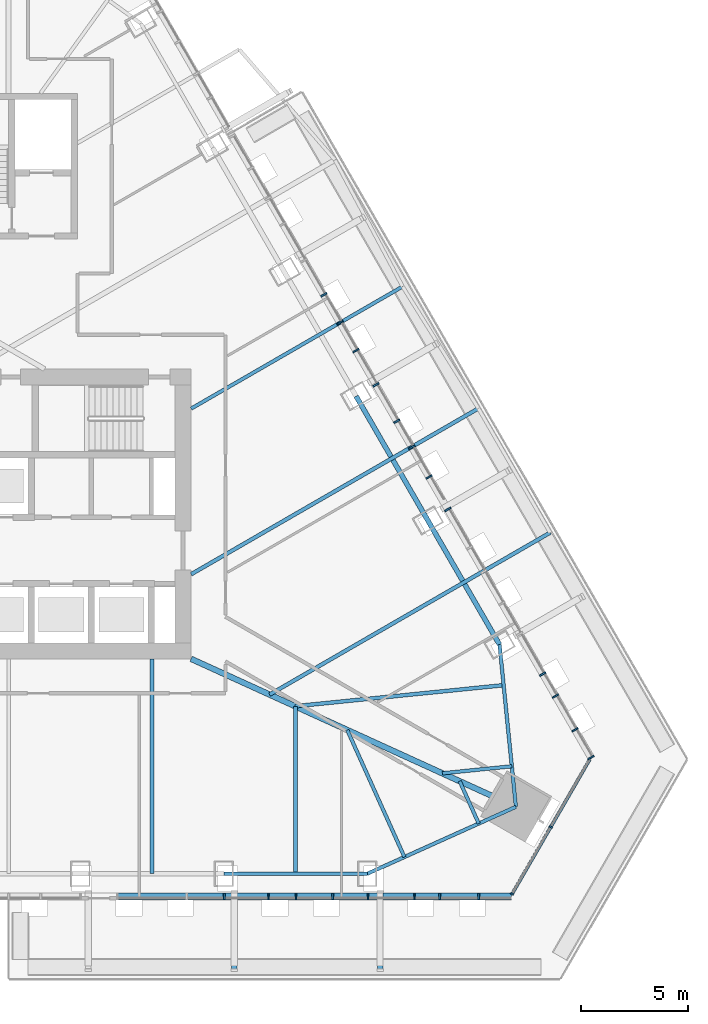
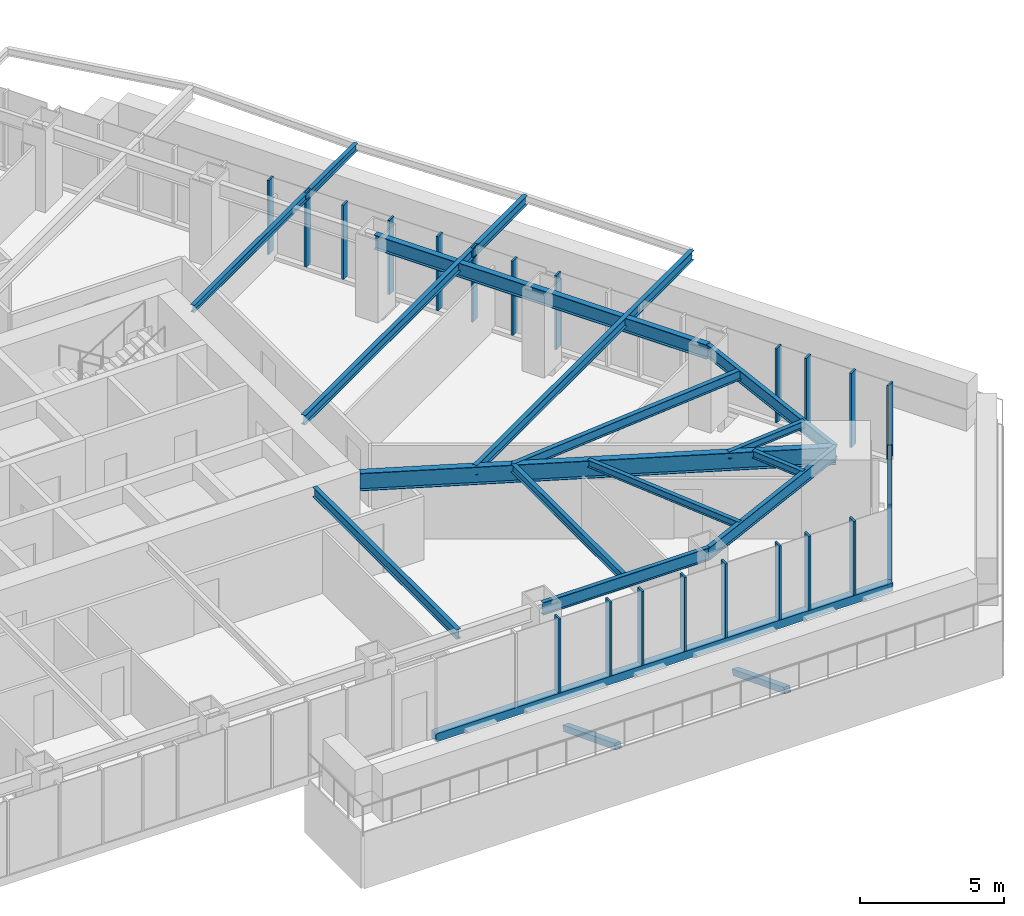
# One storey, part 4 of 17: 26 members, 14 beams, 3 elements without a shape of their own.
"""IFC4 building model written with IfcOpenShell, lengths in metres."""

import ifcopenshell
import ifcopenshell.guid

model = None  # the IFC model being written
_history = None  # IfcOwnerHistory: only IFC2X3 demands one
_inside = {}  # id of a spatial element -> (the spatial element, [elements in it])
_under = {}  # id of a project, library or spatial element -> (it, [spatial elements below it])
_declared = {}  # id of a project -> (the project, [libraries it declares])
_typed = {}  # id of a type object -> (the type object, [elements of that type])
_made_of = {}  # id of a material, layer set ... -> (it, [elements and type objects made of it])


def new_model(schema):
    """Start an empty IFC model of exactly this schema.

    Asked for "IFC4X3", IfcOpenShell would pick the latest addendum, in which some entities
    have other attributes; the version numbers below select the first issue.
    IFC2X3 requires an IfcOwnerHistory on every rooted entity: one is made here for all.
    """
    global model, _history
    if schema == "IFC4X3":
        model = ifcopenshell.file(schema_version=(4, 3, 0, 0))
    else:
        model = ifcopenshell.file(schema=schema)
    _inside.clear()
    _under.clear()
    _declared.clear()
    _typed.clear()
    _made_of.clear()
    _history = None
    if model.schema == "IFC2X3":
        org = make("IfcOrganization", Name="unknown")
        user = make(
            "IfcPersonAndOrganization",
            ThePerson=make("IfcPerson", FamilyName="unknown"),
            TheOrganization=org,
        )
        app = make(
            "IfcApplication",
            ApplicationDeveloper=org,
            Version="unknown",
            ApplicationFullName="unknown",
            ApplicationIdentifier="unknown",
        )
        _history = make(
            "IfcOwnerHistory",
            OwningUser=user,
            OwningApplication=app,
            ChangeAction="ADDED",
            CreationDate=0,
        )
    return model


def make(cls, **values):
    """One entity of the class cls with the attributes given. An attribute that is None is left unset."""
    return model.create_entity(
        cls, **{name: value for name, value in values.items() if value is not None}
    )


def rooted(cls, **values):
    """An entity with a GlobalId (a new one), such as an element, a storey or a relation."""
    return make(cls, GlobalId=ifcopenshell.guid.new(), OwnerHistory=_history, **values)


def si_unit(unit_type, name, prefix=None):
    """IfcSIUnit, for example si_unit("LENGTHUNIT", "METRE", prefix="MILLI")."""
    return make("IfcSIUnit", UnitType=unit_type, Prefix=prefix, Name=name)


def assignment(units):
    """IfcUnitAssignment: the units of a project."""
    return None if units is None else make("IfcUnitAssignment", Units=units)


def point(xyz):
    """IfcCartesianPoint."""
    return None if xyz is None else make("IfcCartesianPoint", Coordinates=xyz)


def direction(xyz):
    """IfcDirection."""
    return None if xyz is None else make("IfcDirection", DirectionRatios=xyz)


def frame(location, z_axis=None, x_axis=None):
    """IfcAxis2Placement3D, a coordinate frame: its origin and axes. An axis left out is left unset."""
    return make(
        "IfcAxis2Placement3D",
        Location=point(location),
        Axis=direction(z_axis),
        RefDirection=direction(x_axis),
    )


def frame_2d(location, x_axis=None):
    """IfcAxis2Placement2D, a coordinate frame in the plane: its origin and x axis."""
    return make(
        "IfcAxis2Placement2D", Location=point(location), RefDirection=direction(x_axis)
    )


def origin():
    """The frame at (0, 0, 0) with its axes left unset."""
    return frame((0.0, 0.0, 0.0))


def origin_2d():
    """The frame at (0, 0) in the plane with its x axis left unset."""
    return frame_2d((0.0, 0.0))


def place(relative_to, where):
    """IfcLocalPlacement: puts the frame where relative to a parent placement (None: the world)."""
    return make(
        "IfcLocalPlacement", PlacementRelTo=relative_to, RelativePlacement=where
    )


def context(
    kind, dimensions, precision=None, world=None, true_north=None, identifier=None
):
    """IfcGeometricRepresentationContext, for example the 3D "Model" context."""
    return make(
        "IfcGeometricRepresentationContext",
        ContextIdentifier=identifier,
        ContextType=kind,
        CoordinateSpaceDimension=dimensions,
        Precision=precision,
        WorldCoordinateSystem=world,
        TrueNorth=true_north,
    )


def subcontext(parent, identifier, kind, view, scale=None):
    """IfcGeometricRepresentationSubContext, for example "Body" below "Model"."""
    return make(
        "IfcGeometricRepresentationSubContext",
        ContextIdentifier=identifier,
        ContextType=kind,
        ParentContext=parent,
        TargetScale=scale,
        TargetView=view,
    )


def project(units=None, contexts=None):
    """IfcProject with its units and contexts."""
    return rooted(
        "IfcProject",
        Name="project",
        RepresentationContexts=contexts,
        UnitsInContext=assignment(units),
    )


def spatial(cls, under=None, at=None, **own):
    """A site, building, storey or space (cls), placed at a placement, below another one or the project."""
    s = rooted(cls, ObjectPlacement=at, **own)
    if under is not None:
        _under.setdefault(under.id(), (under, []))[1].append(s)
    return s


def profile(cls, at=None, kind="AREA", **sizes):
    """A parametric profile (cls). Its sizes go by their IFC names, for example OverallWidth=200.0."""
    return make(cls, ProfileType=kind, Position=at, **sizes)


def rectangle(**sizes):
    """IfcRectangleProfileDef."""
    return profile("IfcRectangleProfileDef", **sizes)


def hollow_rectangle(**sizes):
    """IfcRectangleHollowProfileDef."""
    return profile("IfcRectangleHollowProfileDef", **sizes)


def i_section(**sizes):
    """IfcIShapeProfileDef."""
    return profile("IfcIShapeProfileDef", **sizes)


def extrude(swept, where, along, depth):
    """IfcExtrudedAreaSolid: the profile swept, set in the frame where, extruded along a direction by depth."""
    return make(
        "IfcExtrudedAreaSolid",
        SweptArea=swept,
        Position=where,
        ExtrudedDirection=direction(along),
        Depth=depth,
    )


def shape(context_of_items, identifier, shape_type, items):
    """IfcShapeRepresentation: the items that make up one representation, for example the "Body"."""
    return make(
        "IfcShapeRepresentation",
        ContextOfItems=context_of_items,
        RepresentationIdentifier=identifier,
        RepresentationType=shape_type,
        Items=items,
    )


def material(Name=None, Category=None):
    """IfcMaterial."""
    return make("IfcMaterial", Name=Name, Category=Category)


def layer(
    of_material, thickness, ventilated=None, Name=None, Category=None, Priority=None
):
    """IfcMaterialLayer: one layer of a wall or slab, of a material (None: an air gap)."""
    return make(
        "IfcMaterialLayer",
        Material=of_material,
        LayerThickness=thickness,
        IsVentilated=ventilated,
        Name=Name,
        Category=Category,
        Priority=Priority,
    )


def layer_set(layers, Name=None):
    """IfcMaterialLayerSet."""
    return make("IfcMaterialLayerSet", MaterialLayers=layers, LayerSetName=Name)


def material_profile(
    of_material, cross_section, Name=None, Category=None, Priority=None
):
    """IfcMaterialProfile: a cross section and its material."""
    return make(
        "IfcMaterialProfile",
        Name=Name,
        Material=of_material,
        Profile=cross_section,
        Priority=Priority,
        Category=Category,
    )


def profile_set(profiles, Name=None, composite=None):
    """IfcMaterialProfileSet."""
    return make(
        "IfcMaterialProfileSet",
        Name=Name,
        MaterialProfiles=profiles,
        CompositeProfile=composite,
    )


def made_of(thing, what):
    """Note that an element or type object is made of a material, layer set ...; save() writes the relation."""
    if what is not None:
        _made_of.setdefault(what.id(), (what, []))[1].append(thing)
    return thing


def type_object(cls, material=None, **own):
    """A type object (cls), such as IfcWallType, which elements share."""
    return made_of(rooted(cls, **own), material)


def element(
    cls,
    number,
    at=None,
    inside=None,
    cuts=None,
    type_object=None,
    material=None,
    context=None,
    identifier="Body",
    shape_type=None,
    held_by="IfcProductDefinitionShape",
    body=None,
    shapes=None,
    **own,
):
    """One element of the class cls, such as IfcWall. Its Tag is "e" and its number.

    at: its placement. inside: the storey or other place that contains it. cuts: it is an
    opening in that element (IfcRelVoidsElement). A single representation is given by context,
    identifier, shape_type and body (its items); several are given by shapes. held_by: the class
    of the entity that holds the representations. save() writes the other relations.
    """
    e = rooted(cls, Tag="e%d" % number, ObjectPlacement=at, **own)
    if body is not None:
        shapes = [shape(context, identifier, shape_type, body)]
    if shapes is not None:
        e.Representation = make(held_by, Representations=shapes)
    if inside is not None:
        _inside.setdefault(inside.id(), (inside, []))[1].append(e)
    if cuts is not None:
        rooted(
            "IfcRelVoidsElement", RelatingBuildingElement=cuts, RelatedOpeningElement=e
        )
    if type_object is not None:
        _typed.setdefault(type_object.id(), (type_object, []))[1].append(e)
    return made_of(e, material)


def aggregate(whole, parts):
    """IfcRelAggregates: a whole, such as a stair, and the parts it consists of."""
    return rooted("IfcRelAggregates", RelatingObject=whole, RelatedObjects=parts)


def save(model, path):
    """Write the relations noted so far, then the file.

    IfcRelAggregates (storeys below a building ...), IfcRelContainedInSpatialStructure (elements
    in a storey), IfcRelDefinesByType, IfcRelAssociatesMaterial and IfcRelDeclares: one each for
    every whole, place, type object, material and project.
    """
    for whole, parts in _under.values():
        aggregate(whole, parts)
    for where, things in _inside.values():
        rooted(
            "IfcRelContainedInSpatialStructure",
            RelatedElements=things,
            RelatingStructure=where,
        )
    for kind, things in _typed.values():
        rooted("IfcRelDefinesByType", RelatedObjects=things, RelatingType=kind)
    for what, things in _made_of.values():
        rooted("IfcRelAssociatesMaterial", RelatedObjects=things, RelatingMaterial=what)
    for by, libraries in _declared.values():
        rooted("IfcRelDeclares", RelatingContext=by, RelatedDefinitions=libraries)
    model.write(path)


model = new_model("IFC4")

# Units and contexts
model_context = context("Model", 3, precision=1e-05, world=origin(), true_north=direction((0.0, 1.0)))
body_context = subcontext(model_context, "Body", "Model", "MODEL_VIEW")
ifc_project = project(units=[si_unit("LENGTHUNIT", "METRE"), si_unit("AREAUNIT", "SQUARE_METRE"), si_unit("VOLUMEUNIT", "CUBIC_METRE"), si_unit("PLANEANGLEUNIT", "RADIAN"), si_unit("MASSUNIT", "GRAM", prefix="KILO")], contexts=[model_context])

# Site, building, storey
site_placement = place(None, origin())
site = spatial("IfcSite", under=ifc_project, at=site_placement, CompositionType="ELEMENT")
building_placement = place(site_placement, origin())
building = spatial("IfcBuilding", under=site, at=building_placement, Name="Firuza Gate Tower and Library", CompositionType="ELEMENT")
storey_placement = place(building_placement, frame((0.0, 0.0, 263.60009765625)))
storey = spatial("IfcBuildingStorey", under=building, at=storey_placement, Name="L62", CompositionType="ELEMENT", Elevation=263.60009765625)

# Curtain wall, members
ifc_material_1 = material(Name="Aluminium 6063-T6", Category="aluminium")
ifc_layer_1 = layer(ifc_material_1, 0.14990234375)
ifc_layer_set_1 = layer_set([ifc_layer_1], Name="Corner curtain wall, chamfers")
curtain_wall_type_1 = type_object("IfcCurtainWallType", Name="Corner curtain wall, chamfers", PredefinedType="NOTDEFINED", material=ifc_layer_set_1)
placement = place(storey_placement, origin())
curtain_wall_1 = element("IfcCurtainWall", 1, at=placement, inside=storey, type_object=curtain_wall_type_1, Name="CW4 L62 SE corner", PredefinedType="NOTDEFINED")
ifc_material_2 = material(Name="Aluminium 6063-T6", Category="aluminium")
ifc_material_profile_1 = material_profile(ifc_material_2, rectangle(XDim=0.14990234375, YDim=0.080078125, at=origin_2d()))
ifc_profile_set_1 = profile_set([ifc_material_profile_1], Name="Aluminium 6063-T6")
member_type_1 = type_object("IfcMemberType", Name="Curtain wall mullion 80x150", PredefinedType="MULLION", material=ifc_profile_set_1)
member_1_placement = place(storey_placement, frame((98.45263671875, 57.298828125, 0.14990234375), z_axis=(0.0, 0.0, 1.0), x_axis=(-0.866025403784, 0.5, 0.0)))
member_1 = element("IfcMember", 2, at=member_1_placement, type_object=member_type_1, Name="Mullion", PredefinedType="MULLION", context=body_context, shape_type="SweptSolid", body=[
    extrude(rectangle(XDim=0.14990234375, YDim=0.080078125, at=origin_2d()), origin(), (0.0, 0.0, 1.0), 3.14990234375),
])
member_2_placement = place(storey_placement, frame((100.25439453125, 60.41943359375, 0.14990234375), z_axis=(0.0, 0.0, 1.0), x_axis=(-0.866025403784, 0.5, 0.0)))
member_2 = element("IfcMember", 3, at=member_2_placement, type_object=member_type_1, Name="Mullion", PredefinedType="MULLION", context=body_context, shape_type="SweptSolid", body=[
    extrude(rectangle(XDim=0.14990234375, YDim=0.080078125, at=origin_2d()), origin(), (0.0, 0.0, 1.0), 3.14990234375),
])

ifc_material_3 = material(Name="Aluminium 6063-T6", Category="aluminium")
ifc_layer_2 = layer(ifc_material_3, 0.14990234375)
ifc_layer_set_2 = layer_set([ifc_layer_2], Name="Unitised curtain wall, residences")
curtain_wall_type_2 = type_object("IfcCurtainWallType", Name="Unitised curtain wall, residences", PredefinedType="NOTDEFINED", material=ifc_layer_set_2)
curtain_wall_2 = element("IfcCurtainWall", 4, at=placement, inside=storey, type_object=curtain_wall_type_2, Name="CW3 L62 S face", PredefinedType="NOTDEFINED")
ifc_material_4 = material(Name="Aluminium 6063-T6", Category="aluminium")
ifc_material_profile_2 = material_profile(ifc_material_4, rectangle(XDim=0.320068359375, YDim=0.080078125, at=origin_2d()))
ifc_profile_set_2 = profile_set([ifc_material_profile_2], Name="Aluminium 6063-T6")
member_type_2 = type_object("IfcMemberType", Name="Curtain wall mullion 80x320", PredefinedType="MULLION", material=ifc_profile_set_2)
member_3_placement = place(storey_placement, frame((85.04248046875, 57.17919921875, 0.14990234375), z_axis=(0.0, 0.0, 1.0), x_axis=(0.0, 1.0, 0.0)))
member_3 = element("IfcMember", 5, at=member_3_placement, type_object=member_type_2, Name="Mullion", PredefinedType="MULLION", context=body_context, shape_type="SweptSolid", body=[
    extrude(rectangle(XDim=0.320068359375, YDim=0.080078125, at=origin_2d()), origin(), (0.0, 0.0, 1.0), 3.14990234375),
])
member_4_placement = place(storey_placement, frame((88.39013671875, 57.17919921875, 0.14990234375), z_axis=(0.0, 0.0, 1.0), x_axis=(0.0, 1.0, 0.0)))
member_4 = element("IfcMember", 6, at=member_4_placement, type_object=member_type_2, Name="Mullion", PredefinedType="MULLION", context=body_context, shape_type="SweptSolid", body=[
    extrude(rectangle(XDim=0.320068359375, YDim=0.080078125, at=origin_2d()), origin(), (0.0, 0.0, 1.0), 3.14990234375),
])
member_5_placement = place(storey_placement, frame((91.737548828125, 57.17919921875, 0.14990234375), z_axis=(0.0, 0.0, 1.0), x_axis=(0.0, 1.0, 0.0)))
member_5 = element("IfcMember", 7, at=member_5_placement, type_object=member_type_2, Name="Mullion", PredefinedType="MULLION", context=body_context, shape_type="SweptSolid", body=[
    extrude(rectangle(XDim=0.320068359375, YDim=0.080078125, at=origin_2d()), origin(), (0.0, 0.0, 1.0), 3.14990234375),
])
member_6_placement = place(storey_placement, frame((95.085205078125, 57.17919921875, 0.14990234375), z_axis=(0.0, 0.0, 1.0), x_axis=(0.0, 1.0, 0.0)))
member_6 = element("IfcMember", 8, at=member_6_placement, type_object=member_type_2, Name="Mullion", PredefinedType="MULLION", context=body_context, shape_type="SweptSolid", body=[
    extrude(rectangle(XDim=0.320068359375, YDim=0.080078125, at=origin_2d()), origin(), (0.0, 0.0, 1.0), 3.14990234375),
])
member_7_placement = place(storey_placement, frame((87.101806640625, 57.17919921875, 0.14990234375), z_axis=(0.0, 0.0, 1.0), x_axis=(0.0, 1.0, 0.0)))
member_7 = element("IfcMember", 9, at=member_7_placement, type_object=member_type_2, Name="Mullion", PredefinedType="MULLION", context=body_context, shape_type="SweptSolid", body=[
    extrude(rectangle(XDim=0.320068359375, YDim=0.080078125, at=origin_2d()), origin(), (0.0, 0.0, 1.0), 3.14990234375),
])
member_8_placement = place(storey_placement, frame((90.09814453125, 57.17919921875, 0.14990234375), z_axis=(0.0, 0.0, 1.0), x_axis=(0.0, 1.0, 0.0)))
member_8 = element("IfcMember", 10, at=member_8_placement, type_object=member_type_2, Name="Mullion", PredefinedType="MULLION", context=body_context, shape_type="SweptSolid", body=[
    extrude(rectangle(XDim=0.320068359375, YDim=0.080078125, at=origin_2d()), origin(), (0.0, 0.0, 1.0), 3.14990234375),
])
member_9_placement = place(storey_placement, frame((93.90185546875, 57.17919921875, 0.14990234375), z_axis=(0.0, 0.0, 1.0), x_axis=(0.0, 1.0, 0.0)))
member_9 = element("IfcMember", 11, at=member_9_placement, type_object=member_type_2, Name="Mullion", PredefinedType="MULLION", context=body_context, shape_type="SweptSolid", body=[
    extrude(rectangle(XDim=0.320068359375, YDim=0.080078125, at=origin_2d()), origin(), (0.0, 0.0, 1.0), 3.14990234375),
])
member_10_placement = place(storey_placement, frame((96.898193359375, 57.17919921875, 0.14990234375), z_axis=(0.0, 0.0, 1.0), x_axis=(0.0, 1.0, 0.0)))
member_10 = element("IfcMember", 12, at=member_10_placement, type_object=member_type_2, Name="Mullion", PredefinedType="MULLION", context=body_context, shape_type="SweptSolid", body=[
    extrude(rectangle(XDim=0.320068359375, YDim=0.080078125, at=origin_2d()), origin(), (0.0, 0.0, 1.0), 3.14990234375),
])

curtain_wall_3 = element("IfcCurtainWall", 13, at=placement, inside=storey, type_object=curtain_wall_type_2, Name="CW3 L62 E face", PredefinedType="NOTDEFINED")
member_11_placement = place(storey_placement, frame((102.129638671875, 63.65185546875, 0.14990234375), z_axis=(0.0, 0.0, 1.0), x_axis=(-0.866025403784, -0.5, 0.0)))
member_11 = element("IfcMember", 14, at=member_11_placement, type_object=member_type_2, Name="Mullion", PredefinedType="MULLION", context=body_context, shape_type="SweptSolid", body=[
    extrude(rectangle(XDim=0.320068359375, YDim=0.080078125, at=origin_2d()), origin(), (0.0, 0.0, 1.0), 3.14990234375),
])
member_12_placement = place(storey_placement, frame((100.475830078125, 66.51611328125, 0.14990234375), z_axis=(0.0, 0.0, 1.0), x_axis=(-0.866025403784, -0.5, 0.0)))
member_12 = element("IfcMember", 15, at=member_12_placement, type_object=member_type_2, Name="Mullion", PredefinedType="MULLION", context=body_context, shape_type="SweptSolid", body=[
    extrude(rectangle(XDim=0.320068359375, YDim=0.080078125, at=origin_2d()), origin(), (0.0, 0.0, 1.0), 3.14990234375),
])
member_13_placement = place(storey_placement, frame((95.45458984375, 75.21337890625, 0.14990234375), z_axis=(0.0, 0.0, 1.0), x_axis=(-0.866025403784, -0.5, 0.0)))
member_13 = element("IfcMember", 16, at=member_13_placement, type_object=member_type_2, Name="Mullion", PredefinedType="MULLION", context=body_context, shape_type="SweptSolid", body=[
    extrude(rectangle(XDim=0.320068359375, YDim=0.080078125, at=origin_2d()), origin(), (0.0, 0.0, 1.0), 3.14990234375),
])
member_14_placement = place(storey_placement, frame((93.78076171875, 78.1123046875, 0.14990234375), z_axis=(0.0, 0.0, 1.0), x_axis=(-0.866025403784, -0.5, 0.0)))
member_14 = element("IfcMember", 17, at=member_14_placement, type_object=member_type_2, Name="Mullion", PredefinedType="MULLION", context=body_context, shape_type="SweptSolid", body=[
    extrude(rectangle(XDim=0.320068359375, YDim=0.080078125, at=origin_2d()), origin(), (0.0, 0.0, 1.0), 3.14990234375),
])
member_15_placement = place(storey_placement, frame((92.10693359375, 81.01123046875, 0.14990234375), z_axis=(0.0, 0.0, 1.0), x_axis=(-0.866025403784, -0.5, 0.0)))
member_15 = element("IfcMember", 18, at=member_15_placement, type_object=member_type_2, Name="Mullion", PredefinedType="MULLION", context=body_context, shape_type="SweptSolid", body=[
    extrude(rectangle(XDim=0.320068359375, YDim=0.080078125, at=origin_2d()), origin(), (0.0, 0.0, 1.0), 3.14990234375),
])
member_16_placement = place(storey_placement, frame((90.433349609375, 83.910400390625, 0.14990234375), z_axis=(0.0, 0.0, 1.0), x_axis=(-0.866025403784, -0.5, 0.0)))
member_16 = element("IfcMember", 19, at=member_16_placement, type_object=member_type_2, Name="Mullion", PredefinedType="MULLION", context=body_context, shape_type="SweptSolid", body=[
    extrude(rectangle(XDim=0.320068359375, YDim=0.080078125, at=origin_2d()), origin(), (0.0, 0.0, 1.0), 3.14990234375),
])
member_17_placement = place(storey_placement, frame((101.38232421875, 64.946044921875, 0.14990234375), z_axis=(0.0, 0.0, 1.0), x_axis=(-0.866025403784, -0.5, 0.0)))
member_17 = element("IfcMember", 20, at=member_17_placement, type_object=member_type_2, Name="Mullion", PredefinedType="MULLION", context=body_context, shape_type="SweptSolid", body=[
    extrude(rectangle(XDim=0.320068359375, YDim=0.080078125, at=origin_2d()), origin(), (0.0, 0.0, 1.0), 3.14990234375),
])
member_18_placement = place(storey_placement, frame((99.884033203125, 67.541015625, 0.14990234375), z_axis=(0.0, 0.0, 1.0), x_axis=(-0.866025403784, -0.5, 0.0)))
member_18 = element("IfcMember", 21, at=member_18_placement, type_object=member_type_2, Name="Mullion", PredefinedType="MULLION", context=body_context, shape_type="SweptSolid", body=[
    extrude(rectangle(XDim=0.320068359375, YDim=0.080078125, at=origin_2d()), origin(), (0.0, 0.0, 1.0), 3.14990234375),
])
member_19_placement = place(storey_placement, frame((94.582275390625, 76.723876953125, 0.14990234375), z_axis=(0.0, 0.0, 1.0), x_axis=(-0.866025403784, -0.5, 0.0)))
member_19 = element("IfcMember", 22, at=member_19_placement, type_object=member_type_2, Name="Mullion", PredefinedType="MULLION", context=body_context, shape_type="SweptSolid", body=[
    extrude(rectangle(XDim=0.320068359375, YDim=0.080078125, at=origin_2d()), origin(), (0.0, 0.0, 1.0), 3.14990234375),
])
member_20_placement = place(storey_placement, frame((93.084228515625, 79.31884765625, 0.14990234375), z_axis=(0.0, 0.0, 1.0), x_axis=(-0.866025403784, -0.5, 0.0)))
member_20 = element("IfcMember", 23, at=member_20_placement, type_object=member_type_2, Name="Mullion", PredefinedType="MULLION", context=body_context, shape_type="SweptSolid", body=[
    extrude(rectangle(XDim=0.320068359375, YDim=0.080078125, at=origin_2d()), origin(), (0.0, 0.0, 1.0), 3.14990234375),
])
member_21_placement = place(storey_placement, frame((91.182373046875, 82.613037109375, 0.14990234375), z_axis=(0.0, 0.0, 1.0), x_axis=(-0.866025403784, -0.5, 0.0)))
member_21 = element("IfcMember", 24, at=member_21_placement, type_object=member_type_2, Name="Mullion", PredefinedType="MULLION", context=body_context, shape_type="SweptSolid", body=[
    extrude(rectangle(XDim=0.320068359375, YDim=0.080078125, at=origin_2d()), origin(), (0.0, 0.0, 1.0), 3.14990234375),
])
member_22_placement = place(storey_placement, frame((89.68408203125, 85.207763671875, 0.14990234375), z_axis=(0.0, 0.0, 1.0), x_axis=(-0.866025403784, -0.5, 0.0)))
member_22 = element("IfcMember", 25, at=member_22_placement, type_object=member_type_2, Name="Mullion", PredefinedType="MULLION", context=body_context, shape_type="SweptSolid", body=[
    extrude(rectangle(XDim=0.320068359375, YDim=0.080078125, at=origin_2d()), origin(), (0.0, 0.0, 1.0), 3.14990234375),
])
aggregate(curtain_wall_3, [member_11, member_12, member_13, member_14, member_15, member_16, member_17, member_18, member_19, member_20, member_21, member_22])

# Member
ifc_material_5 = material(Name="Aluminium 6063-T6", Category="aluminium")
ifc_material_profile_3 = material_profile(ifc_material_5, rectangle(XDim=0.14990234375, YDim=0.35009765625, at=origin_2d()))
ifc_profile_set_3 = profile_set([ifc_material_profile_3], Name="Aluminium 6063-T6")
member_type_3 = type_object("IfcMemberType", Name="Curtain wall transom 350x150", PredefinedType="USERDEFINED", material=ifc_profile_set_3)
member_23_placement = place(storey_placement, frame((98.4326171875, 57.26416015625, -0.025146484375), z_axis=(0.499991211061, 0.866030478021, 0.0), x_axis=(-0.866030478021, 0.499991211061, 0.0)))
member_23 = element("IfcMember", 26, at=member_23_placement, type_object=member_type_3, Name="Transom", ObjectType="TRANSOM", PredefinedType="USERDEFINED", context=body_context, shape_type="SweptSolid", body=[
    extrude(rectangle(XDim=0.14990234375, YDim=0.35009765625, at=origin_2d()), origin(), (0.0, 0.0, 1.0), 7.286865234375),
])

aggregate(curtain_wall_1, [member_1, member_2, member_23])

ifc_material_6 = material(Name="Aluminium 6063-T6", Category="aluminium")
ifc_material_profile_4 = material_profile(ifc_material_6, rectangle(XDim=0.320068359375, YDim=0.35009765625, at=origin_2d()))
ifc_profile_set_4 = profile_set([ifc_material_profile_4], Name="Aluminium 6063-T6")
member_type_4 = type_object("IfcMemberType", Name="Curtain wall transom 350x320", PredefinedType="USERDEFINED", material=ifc_profile_set_4)
member_24_placement = place(storey_placement, frame((80.067626953125, 57.17919921875, -0.025146484375), z_axis=(1.0, 0.0, 0.0), x_axis=(0.0, 1.0, 0.0)))
member_24 = element("IfcMember", 27, at=member_24_placement, type_object=member_type_4, Name="Transom", ObjectType="TRANSOM", PredefinedType="USERDEFINED", context=body_context, shape_type="SweptSolid", body=[
    extrude(rectangle(XDim=0.320068359375, YDim=0.35009765625, at=origin_2d()), origin(), (0.0, 0.0, 1.0), 18.364990234375),
])

aggregate(curtain_wall_2, [member_3, member_4, member_5, member_6, member_24, member_7, member_8, member_9, member_10])

# Members
ifc_material_7 = material(Name="Steel S355", Category="steel")
ifc_material_profile_5 = material_profile(ifc_material_7, hollow_rectangle(XDim=0.25390625, YDim=0.25390625, WallThickness=0.01171875, at=origin_2d()))
ifc_profile_set_5 = profile_set([ifc_material_profile_5], Name="Steel S355")
member_type_5 = type_object("IfcMemberType", Name="HSS254x254x13 Tray strut", PredefinedType="BRACE", material=ifc_profile_set_5)
for number, where, z_axis, x_axis, name in (
    (28, (85.5, 57.3671875, -1.670166015625), (0.0, -0.931995182262, 0.362470661215), (1.0, 0.0, 0.0), "Tray strut L62 col:L61:S5"),
    (29, (92.300048828125, 57.3671875, -1.670166015625), (0.0, -0.931995182262, 0.362470661215), (1.0, 0.0, 0.0), "Tray strut L62 col:L61:S6"),
):
    element("IfcMember", number, at=place(storey_placement, frame(where, z_axis=z_axis, x_axis=x_axis)), inside=storey, type_object=member_type_5, Name=name, PredefinedType="BRACE", context=body_context, shape_type="SweptSolid", body=[
        extrude(hollow_rectangle(XDim=0.25390625, YDim=0.25390625, WallThickness=0.01171875, at=origin_2d()), origin(), (0.0, 0.0, 1.0), 3.86279296875),
    ])

# Beams
ifc_material_8 = material(Name="Steel S355", Category="steel")
ifc_material_profile_6 = material_profile(ifc_material_8, i_section(OverallWidth=0.1650390625, OverallDepth=0.31005859375, WebThickness=0.005859375, FlangeThickness=0.009765625, at=origin_2d()))
ifc_profile_set_6 = profile_set([ifc_material_profile_6], Name="Steel S355")
beam_type_1 = type_object("IfcBeamType", Name="W310x39 Floor beam", PredefinedType="JOIST", material=ifc_profile_set_6)
beam_1_placement = place(storey_placement, frame((93.4375, 59.0185546875, 3.14501953125), z_axis=(-0.410569556243, 0.911829281986, 0.0), x_axis=(-0.911829281986, -0.410569556243, 0.0)))
element("IfcBeam", 30, at=beam_1_placement, inside=storey, type_object=beam_type_1, Name="Floor beam L62 s30", PredefinedType="JOIST", context=body_context, shape_type="SweptSolid", body=[
    extrude(i_section(OverallWidth=0.1650390625, OverallDepth=0.31005859375, WebThickness=0.005859375, FlangeThickness=0.009765625, at=origin_2d()), origin(), (0.0, 0.0, 1.0), 6.490478515625),
])
beam_2_placement = place(storey_placement, frame((96.8994140625, 60.577392578125, 3.14501953125), z_axis=(-0.41051012012, 0.911856041971, 0.0), x_axis=(-0.911856041971, -0.41051012012, 0.0)))
element("IfcBeam", 31, at=beam_2_placement, inside=storey, type_object=beam_type_1, Name="Floor beam L62 s31", PredefinedType="JOIST", context=body_context, shape_type="SweptSolid", body=[
    extrude(i_section(OverallWidth=0.1650390625, OverallDepth=0.31005859375, WebThickness=0.005859375, FlangeThickness=0.009765625, at=origin_2d()), origin(), (0.0, 0.0, 1.0), 2.16357421875),
])
beam_3_placement = place(storey_placement, frame((98.43994140625, 63.24560546875, 3.14501953125), z_axis=(-0.994958907801, -0.100283457198, 0.0), x_axis=(0.100283457198, -0.994958907801, 0.0)))
element("IfcBeam", 32, at=beam_3_placement, inside=storey, type_object=beam_type_1, Name="Floor beam L62 s40", PredefinedType="JOIST", context=body_context, shape_type="SweptSolid", body=[
    extrude(i_section(OverallWidth=0.1650390625, OverallDepth=0.31005859375, WebThickness=0.005859375, FlangeThickness=0.009765625, at=origin_2d()), origin(), (0.0, 0.0, 1.0), 3.2548828125),
])
beam_4_placement = place(storey_placement, frame((93.352294921875, 85.595703125, 3.14501953125), z_axis=(-0.86602512606, -0.500000481033, 0.0), x_axis=(0.500000481033, -0.86602512606, 0.0)))
element("IfcBeam", 33, at=beam_4_placement, inside=storey, type_object=beam_type_1, Name="Floor beam L62 s52", PredefinedType="JOIST", context=body_context, shape_type="SweptSolid", body=[
    extrude(i_section(OverallWidth=0.1650390625, OverallDepth=0.31005859375, WebThickness=0.005859375, FlangeThickness=0.009765625, at=origin_2d()), origin(), (0.0, 0.0, 1.0), 11.37646484375),
])
ifc_material_9 = material(Name="Steel S355", Category="steel")
ifc_material_profile_7 = material_profile(ifc_material_9, i_section(OverallWidth=0.1708984375, OverallDepth=0.35498046875, WebThickness=0.007080078125, FlangeThickness=0.01171875, at=origin_2d()))
ifc_profile_set_7 = profile_set([ifc_material_profile_7], Name="Steel S355")
beam_type_2 = type_object("IfcBeamType", Name="W360x51 Floor beam", PredefinedType="JOIST", material=ifc_profile_set_7)
beam_5_placement = place(storey_placement, frame((88.365234375, 58.2392578125, 3.122314453125), z_axis=(0.0, 1.0, 0.0), x_axis=(-1.0, 0.0, 0.0)))
element("IfcBeam", 34, at=beam_5_placement, inside=storey, type_object=beam_type_2, Name="Floor beam L62 s24", PredefinedType="JOIST", context=body_context, shape_type="SweptSolid", body=[
    extrude(i_section(OverallWidth=0.1708984375, OverallDepth=0.35498046875, WebThickness=0.007080078125, FlangeThickness=0.01171875, at=origin_2d()), origin(), (0.0, 0.0, 1.0), 7.794189453125),
])
ifc_material_10 = material(Name="Steel S355", Category="steel")
ifc_material_profile_8 = material_profile(ifc_material_10, i_section(OverallWidth=0.177978515625, OverallDepth=0.406982421875, WebThickness=0.0078125, FlangeThickness=0.0126953125, at=origin_2d()))
ifc_profile_set_8 = profile_set([ifc_material_profile_8], Name="Steel S355")
beam_type_3 = type_object("IfcBeamType", Name="W410x60 Floor beam", PredefinedType="JOIST", material=ifc_profile_set_8)
beam_6_placement = place(storey_placement, frame((81.6826171875, 58.2392578125, 3.096435546875), z_axis=(0.0, 1.0, 0.0), x_axis=(-1.0, 0.0, 0.0)))
element("IfcBeam", 35, at=beam_6_placement, inside=storey, type_object=beam_type_3, Name="Floor beam L62 s23", PredefinedType="JOIST", context=body_context, shape_type="SweptSolid", body=[
    extrude(i_section(OverallWidth=0.177978515625, OverallDepth=0.406982421875, WebThickness=0.0078125, FlangeThickness=0.0126953125, at=origin_2d()), origin(), (0.0, 0.0, 1.0), 10.0107421875),
])
beam_7_placement = place(storey_placement, frame((98.05908203125, 67.023193359375, 3.096435546875), z_axis=(-0.994953917278, -0.100332958161, 0.0), x_axis=(0.100332958161, -0.994953917278, 0.0)))
element("IfcBeam", 36, at=beam_7_placement, inside=storey, type_object=beam_type_3, Name="Floor beam L62 s41", PredefinedType="JOIST", context=body_context, shape_type="SweptSolid", body=[
    extrude(i_section(OverallWidth=0.177978515625, OverallDepth=0.406982421875, WebThickness=0.0078125, FlangeThickness=0.0126953125, at=origin_2d()), origin(), (0.0, 0.0, 1.0), 9.764892578125),
])
beam_8_placement = place(storey_placement, frame((100.224853515625, 74.130615234375, 3.096435546875), z_axis=(-0.86602448832, -0.500001585628, 0.0), x_axis=(0.500001585628, -0.86602448832, 0.0)))
element("IfcBeam", 37, at=beam_8_placement, inside=storey, type_object=beam_type_3, Name="Floor beam L62 s50", PredefinedType="JOIST", context=body_context, shape_type="SweptSolid", body=[
    extrude(i_section(OverallWidth=0.177978515625, OverallDepth=0.406982421875, WebThickness=0.0078125, FlangeThickness=0.0126953125, at=origin_2d()), origin(), (0.0, 0.0, 1.0), 15.091796875),
])
beam_9_placement = place(storey_placement, frame((96.883544921875, 79.91796875, 3.096435546875), z_axis=(-0.866023792161, -0.500002791403, 0.0), x_axis=(0.500002791403, -0.866023792161, 0.0)))
element("IfcBeam", 38, at=beam_9_placement, inside=storey, type_object=beam_type_3, Name="Floor beam L62 s51", PredefinedType="JOIST", context=body_context, shape_type="SweptSolid", body=[
    extrude(i_section(OverallWidth=0.177978515625, OverallDepth=0.406982421875, WebThickness=0.0078125, FlangeThickness=0.0126953125, at=origin_2d()), origin(), (0.0, 0.0, 1.0), 15.4541015625),
])
ifc_material_11 = material(Name="Steel S355", Category="steel")
ifc_material_profile_9 = material_profile(ifc_material_11, i_section(OverallWidth=0.166015625, OverallDepth=0.534912109375, WebThickness=0.01025390625, FlangeThickness=0.0166015625, at=origin_2d()))
ifc_profile_set_9 = profile_set([ifc_material_profile_9], Name="Steel S355")
beam_type_4 = type_object("IfcBeamType", Name="W530x85 Edge beam", PredefinedType="SPANDREL", material=ifc_profile_set_9)
beam_10_placement = place(storey_placement, frame((85.02392578125, 58.2392578125, 3.032470703125), z_axis=(1.0, 0.0, 0.0), x_axis=(0.0, 1.0, 0.0)))
element("IfcBeam", 39, at=beam_10_placement, inside=storey, type_object=beam_type_4, Name="Edge beam L62 e24", PredefinedType="SPANDREL", context=body_context, shape_type="SweptSolid", body=[
    extrude(i_section(OverallWidth=0.166015625, OverallDepth=0.534912109375, WebThickness=0.01025390625, FlangeThickness=0.0166015625, at=origin_2d()), origin(), (0.0, 0.0, 1.0), 6.682861328125),
])
for number, where, z_axis, x_axis, name in (
    (40, (91.706787109375, 58.2392578125, 3.032470703125), (0.91181980498, 0.410590602969, 0.0), (-0.410590602969, 0.91181980498, 0.0), "Edge beam L62 e30"),
    (41, (98.63037109375, 61.35693359375, 3.032470703125), (-0.100315454149, 0.994955682259, 0.0), (-0.994955682259, -0.100315454149, 0.0), "Edge beam L62 e40"),
):
    element("IfcBeam", number, at=place(storey_placement, frame(where, z_axis=z_axis, x_axis=x_axis)), inside=storey, type_object=beam_type_4, Name=name, PredefinedType="SPANDREL", context=body_context, shape_type="SweptSolid", body=[
        extrude(i_section(OverallWidth=0.166015625, OverallDepth=0.534912109375, WebThickness=0.01025390625, FlangeThickness=0.0166015625, at=origin_2d()), origin(), (0.0, 0.0, 1.0), 7.59326171875),
    ])
ifc_material_12 = material(Name="Steel S355", Category="steel")
ifc_material_profile_10 = material_profile(ifc_material_12, i_section(OverallWidth=0.22900390625, OverallDepth=0.612060546875, WebThickness=0.011962890625, FlangeThickness=0.01953125, at=origin_2d()))
ifc_profile_set_10 = profile_set([ifc_material_profile_10], Name="Steel S355")
beam_type_5 = type_object("IfcBeamType", Name="W610x125 Edge beam", PredefinedType="SPANDREL", material=ifc_profile_set_10)
beam_11_placement = place(storey_placement, frame((97.86865234375, 68.911865234375, 2.993896484375), z_axis=(-0.500003375436, 0.866023454967, 0.0), x_axis=(-0.866023454967, -0.500003375436, 0.0)))
element("IfcBeam", 42, at=beam_11_placement, inside=storey, type_object=beam_type_5, Name="Edge beam L62 e50", PredefinedType="SPANDREL", context=body_context, shape_type="SweptSolid", body=[
    extrude(i_section(OverallWidth=0.22900390625, OverallDepth=0.612060546875, WebThickness=0.011962890625, FlangeThickness=0.01953125, at=origin_2d()), origin(), (0.0, 0.0, 1.0), 13.36572265625),
])
ifc_material_13 = material(Name="Steel S355", Category="steel")
ifc_material_profile_11 = material_profile(ifc_material_13, i_section(OverallWidth=0.264892578125, OverallDepth=0.7529296875, WebThickness=0.01318359375, FlangeThickness=0.01708984375, at=origin_2d()))
ifc_profile_set_11 = profile_set([ifc_material_profile_11], Name="Steel S355")
beam_type_6 = type_object("IfcBeamType", Name="W760x147 Girder", PredefinedType="BEAM", material=ifc_profile_set_11)
beam_12_placement = place(storey_placement, frame((98.63037109375, 61.35693359375, 2.92333984375), z_axis=(-0.910012124578, 0.414581636256, 0.0), x_axis=(-0.414581636256, -0.910012124578, 0.0)))
element("IfcBeam", 43, at=beam_12_placement, inside=storey, type_object=beam_type_6, Name="Girder L62 gSE", PredefinedType="BEAM", context=body_context, shape_type="SweptSolid", body=[
    extrude(i_section(OverallWidth=0.264892578125, OverallDepth=0.7529296875, WebThickness=0.01318359375, FlangeThickness=0.01708984375, at=origin_2d()), origin(), (0.0, 0.0, 1.0), 16.62646484375),
])

save(model, "model.ifc")
